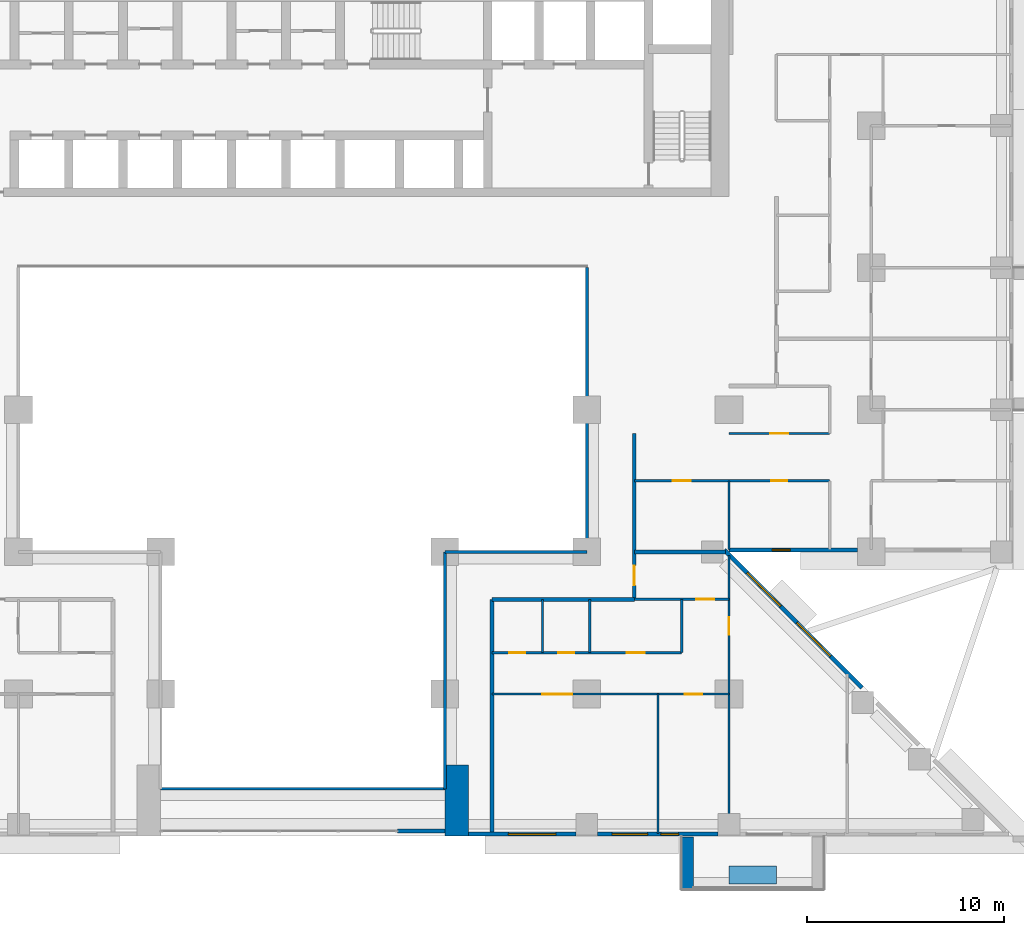
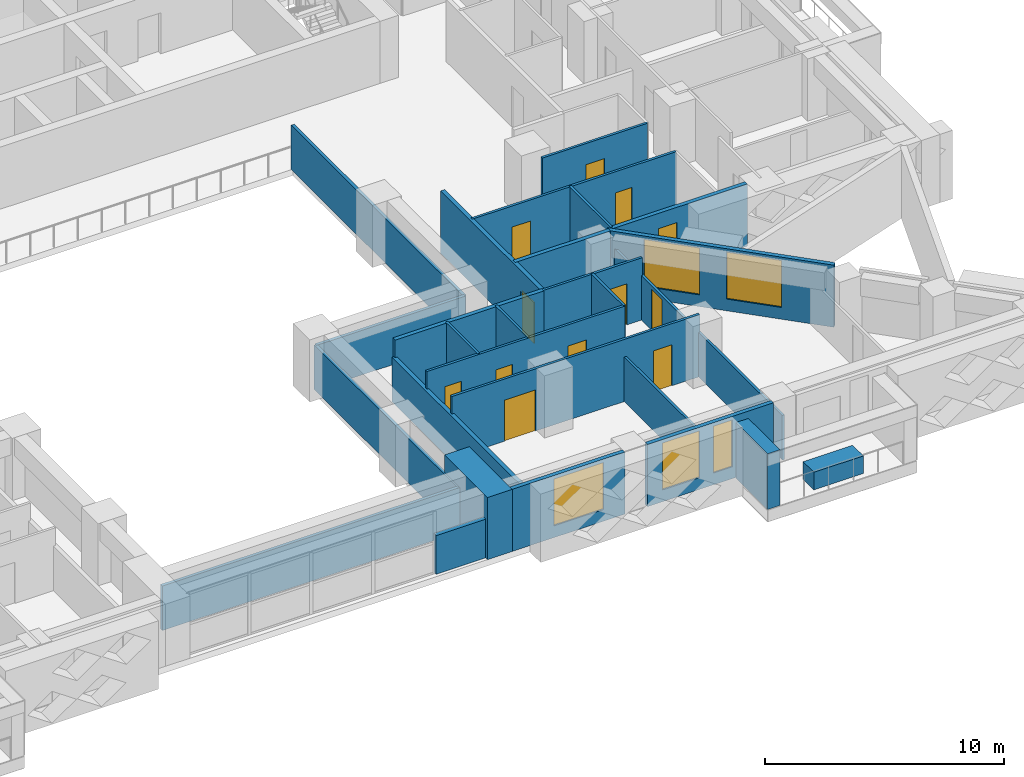
# One storey, part 8 of 17: 27 walls, 11 doors, 6 windows, 17 openings.
"""IFC4 building model written with IfcOpenShell, lengths in metres."""

import ifcopenshell
import ifcopenshell.guid

model = None  # the IFC model being written
_history = None  # IfcOwnerHistory: only IFC2X3 demands one
_inside = {}  # id of a spatial element -> (the spatial element, [elements in it])
_under = {}  # id of a project, library or spatial element -> (it, [spatial elements below it])
_declared = {}  # id of a project -> (the project, [libraries it declares])
_typed = {}  # id of a type object -> (the type object, [elements of that type])
_made_of = {}  # id of a material, layer set ... -> (it, [elements and type objects made of it])


def new_model(schema):
    """Start an empty IFC model of exactly this schema.

    Asked for "IFC4X3", IfcOpenShell would pick the latest addendum, in which some entities
    have other attributes; the version numbers below select the first issue.
    IFC2X3 requires an IfcOwnerHistory on every rooted entity: one is made here for all.
    """
    global model, _history
    if schema == "IFC4X3":
        model = ifcopenshell.file(schema_version=(4, 3, 0, 0))
    else:
        model = ifcopenshell.file(schema=schema)
    _inside.clear()
    _under.clear()
    _declared.clear()
    _typed.clear()
    _made_of.clear()
    _history = None
    if model.schema == "IFC2X3":
        org = make("IfcOrganization", Name="unknown")
        user = make(
            "IfcPersonAndOrganization",
            ThePerson=make("IfcPerson", FamilyName="unknown"),
            TheOrganization=org,
        )
        app = make(
            "IfcApplication",
            ApplicationDeveloper=org,
            Version="unknown",
            ApplicationFullName="unknown",
            ApplicationIdentifier="unknown",
        )
        _history = make(
            "IfcOwnerHistory",
            OwningUser=user,
            OwningApplication=app,
            ChangeAction="ADDED",
            CreationDate=0,
        )
    return model


def make(cls, **values):
    """One entity of the class cls with the attributes given. An attribute that is None is left unset."""
    return model.create_entity(
        cls, **{name: value for name, value in values.items() if value is not None}
    )


def rooted(cls, **values):
    """An entity with a GlobalId (a new one), such as an element, a storey or a relation."""
    return make(cls, GlobalId=ifcopenshell.guid.new(), OwnerHistory=_history, **values)


def si_unit(unit_type, name, prefix=None):
    """IfcSIUnit, for example si_unit("LENGTHUNIT", "METRE", prefix="MILLI")."""
    return make("IfcSIUnit", UnitType=unit_type, Prefix=prefix, Name=name)


def assignment(units):
    """IfcUnitAssignment: the units of a project."""
    return None if units is None else make("IfcUnitAssignment", Units=units)


def point(xyz):
    """IfcCartesianPoint."""
    return None if xyz is None else make("IfcCartesianPoint", Coordinates=xyz)


def direction(xyz):
    """IfcDirection."""
    return None if xyz is None else make("IfcDirection", DirectionRatios=xyz)


def frame(location, z_axis=None, x_axis=None):
    """IfcAxis2Placement3D, a coordinate frame: its origin and axes. An axis left out is left unset."""
    return make(
        "IfcAxis2Placement3D",
        Location=point(location),
        Axis=direction(z_axis),
        RefDirection=direction(x_axis),
    )


def frame_2d(location, x_axis=None):
    """IfcAxis2Placement2D, a coordinate frame in the plane: its origin and x axis."""
    return make(
        "IfcAxis2Placement2D", Location=point(location), RefDirection=direction(x_axis)
    )


def origin():
    """The frame at (0, 0, 0) with its axes left unset."""
    return frame((0.0, 0.0, 0.0))


def place(relative_to, where):
    """IfcLocalPlacement: puts the frame where relative to a parent placement (None: the world)."""
    return make(
        "IfcLocalPlacement", PlacementRelTo=relative_to, RelativePlacement=where
    )


def context(
    kind, dimensions, precision=None, world=None, true_north=None, identifier=None
):
    """IfcGeometricRepresentationContext, for example the 3D "Model" context."""
    return make(
        "IfcGeometricRepresentationContext",
        ContextIdentifier=identifier,
        ContextType=kind,
        CoordinateSpaceDimension=dimensions,
        Precision=precision,
        WorldCoordinateSystem=world,
        TrueNorth=true_north,
    )


def subcontext(parent, identifier, kind, view, scale=None):
    """IfcGeometricRepresentationSubContext, for example "Body" below "Model"."""
    return make(
        "IfcGeometricRepresentationSubContext",
        ContextIdentifier=identifier,
        ContextType=kind,
        ParentContext=parent,
        TargetScale=scale,
        TargetView=view,
    )


def project(units=None, contexts=None):
    """IfcProject with its units and contexts."""
    return rooted(
        "IfcProject",
        Name="project",
        RepresentationContexts=contexts,
        UnitsInContext=assignment(units),
    )


def spatial(cls, under=None, at=None, **own):
    """A site, building, storey or space (cls), placed at a placement, below another one or the project."""
    s = rooted(cls, ObjectPlacement=at, **own)
    if under is not None:
        _under.setdefault(under.id(), (under, []))[1].append(s)
    return s


def profile(cls, at=None, kind="AREA", **sizes):
    """A parametric profile (cls). Its sizes go by their IFC names, for example OverallWidth=200.0."""
    return make(cls, ProfileType=kind, Position=at, **sizes)


def rectangle(**sizes):
    """IfcRectangleProfileDef."""
    return profile("IfcRectangleProfileDef", **sizes)


def extrude(swept, where, along, depth):
    """IfcExtrudedAreaSolid: the profile swept, set in the frame where, extruded along a direction by depth."""
    return make(
        "IfcExtrudedAreaSolid",
        SweptArea=swept,
        Position=where,
        ExtrudedDirection=direction(along),
        Depth=depth,
    )


def shape(context_of_items, identifier, shape_type, items):
    """IfcShapeRepresentation: the items that make up one representation, for example the "Body"."""
    return make(
        "IfcShapeRepresentation",
        ContextOfItems=context_of_items,
        RepresentationIdentifier=identifier,
        RepresentationType=shape_type,
        Items=items,
    )


def material(Name=None, Category=None):
    """IfcMaterial."""
    return make("IfcMaterial", Name=Name, Category=Category)


def layer(
    of_material, thickness, ventilated=None, Name=None, Category=None, Priority=None
):
    """IfcMaterialLayer: one layer of a wall or slab, of a material (None: an air gap)."""
    return make(
        "IfcMaterialLayer",
        Material=of_material,
        LayerThickness=thickness,
        IsVentilated=ventilated,
        Name=Name,
        Category=Category,
        Priority=Priority,
    )


def layer_set(layers, Name=None):
    """IfcMaterialLayerSet."""
    return make("IfcMaterialLayerSet", MaterialLayers=layers, LayerSetName=Name)


def made_of(thing, what):
    """Note that an element or type object is made of a material, layer set ...; save() writes the relation."""
    if what is not None:
        _made_of.setdefault(what.id(), (what, []))[1].append(thing)
    return thing


def type_object(cls, material=None, **own):
    """A type object (cls), such as IfcWallType, which elements share."""
    return made_of(rooted(cls, **own), material)


def element(
    cls,
    number,
    at=None,
    inside=None,
    cuts=None,
    type_object=None,
    material=None,
    context=None,
    identifier="Body",
    shape_type=None,
    held_by="IfcProductDefinitionShape",
    body=None,
    shapes=None,
    **own,
):
    """One element of the class cls, such as IfcWall. Its Tag is "e" and its number.

    at: its placement. inside: the storey or other place that contains it. cuts: it is an
    opening in that element (IfcRelVoidsElement). A single representation is given by context,
    identifier, shape_type and body (its items); several are given by shapes. held_by: the class
    of the entity that holds the representations. save() writes the other relations.
    """
    e = rooted(cls, Tag="e%d" % number, ObjectPlacement=at, **own)
    if body is not None:
        shapes = [shape(context, identifier, shape_type, body)]
    if shapes is not None:
        e.Representation = make(held_by, Representations=shapes)
    if inside is not None:
        _inside.setdefault(inside.id(), (inside, []))[1].append(e)
    if cuts is not None:
        rooted(
            "IfcRelVoidsElement", RelatingBuildingElement=cuts, RelatedOpeningElement=e
        )
    if type_object is not None:
        _typed.setdefault(type_object.id(), (type_object, []))[1].append(e)
    return made_of(e, material)


def fill(opening, filler):
    """IfcRelFillsElement: the door or window that sits in an opening."""
    return rooted(
        "IfcRelFillsElement",
        RelatingOpeningElement=opening,
        RelatedBuildingElement=filler,
    )


def aggregate(whole, parts):
    """IfcRelAggregates: a whole, such as a stair, and the parts it consists of."""
    return rooted("IfcRelAggregates", RelatingObject=whole, RelatedObjects=parts)


def save(model, path):
    """Write the relations noted so far, then the file.

    IfcRelAggregates (storeys below a building ...), IfcRelContainedInSpatialStructure (elements
    in a storey), IfcRelDefinesByType, IfcRelAssociatesMaterial and IfcRelDeclares: one each for
    every whole, place, type object, material and project.
    """
    for whole, parts in _under.values():
        aggregate(whole, parts)
    for where, things in _inside.values():
        rooted(
            "IfcRelContainedInSpatialStructure",
            RelatedElements=things,
            RelatingStructure=where,
        )
    for kind, things in _typed.values():
        rooted("IfcRelDefinesByType", RelatedObjects=things, RelatingType=kind)
    for what, things in _made_of.values():
        rooted("IfcRelAssociatesMaterial", RelatedObjects=things, RelatingMaterial=what)
    for by, libraries in _declared.values():
        rooted("IfcRelDeclares", RelatingContext=by, RelatedDefinitions=libraries)
    model.write(path)


model = new_model("IFC4")

# Units and contexts
model_context = context("Model", 3, precision=1e-05, world=origin(), true_north=direction((0.0, 1.0)))
body_context = subcontext(model_context, "Body", "Model", "MODEL_VIEW")
ifc_project = project(units=[si_unit("LENGTHUNIT", "METRE"), si_unit("AREAUNIT", "SQUARE_METRE"), si_unit("VOLUMEUNIT", "CUBIC_METRE"), si_unit("PLANEANGLEUNIT", "RADIAN"), si_unit("MASSUNIT", "GRAM", prefix="KILO")], contexts=[model_context])

# Site, building, storey
site_placement = place(None, origin())
site = spatial("IfcSite", under=ifc_project, at=site_placement, CompositionType="ELEMENT")
building_placement = place(site_placement, origin())
building = spatial("IfcBuilding", under=site, at=building_placement, Name="Saffron Iwan Residences", CompositionType="ELEMENT")
storey_placement = place(building_placement, frame((0.0, 0.0, 51.5)))
storey = spatial("IfcBuildingStorey", under=building, at=storey_placement, Name="L12", CompositionType="ELEMENT", Elevation=51.5)

# Walls
ifc_material_1 = material(Name="Fire-rated glazing", Category="glass")
ifc_layer_1 = layer(ifc_material_1, 0.14990234375)
ifc_layer_set_1 = layer_set([ifc_layer_1], Name="Fire-rated glazing")
wall_type_1 = type_object("IfcWallType", Name="Atrium glazed screen 150", PredefinedType="SOLIDWALL", material=ifc_layer_set_1)
wall_1_placement = place(storey_placement, frame((43.199951171875, 36.0, 0.0), z_axis=(0.0, 0.0, 1.0), x_axis=(1.0, 0.0, 0.0)))
element("IfcWall", 1, at=wall_1_placement, inside=storey, type_object=wall_type_1, Name="W-L12-SCREEN-h36-43.2", PredefinedType="SOLIDWALL", context=body_context, shape_type="SweptSolid", body=[
    extrude(rectangle(XDim=14.400146484375, YDim=0.14990234375, at=frame_2d((7.2001953125, 0.0))), origin(), (0.0, 0.0, 1.0), 2.280029296875),
])
wall_2_placement = place(storey_placement, frame((57.60009765625, 48.0, 0.0), z_axis=(0.0, 0.0, 1.0), x_axis=(1.0, 0.0, 0.0)))
element("IfcWall", 2, at=wall_2_placement, inside=storey, type_object=wall_type_1, Name="W-L12-SCREEN-h48-57.6", PredefinedType="SOLIDWALL", context=body_context, shape_type="SweptSolid", body=[
    extrude(rectangle(XDim=7.199951171875, YDim=0.14990234375, at=frame_2d((3.60009765625, 0.0))), origin(), (0.0, 0.0, 1.0), 2.280029296875),
])
wall_3_placement = place(storey_placement, frame((57.60009765625, 36.0, 0.0), z_axis=(0.0, 0.0, 1.0), x_axis=(0.0, 1.0, 0.0)))
element("IfcWall", 3, at=wall_3_placement, inside=storey, type_object=wall_type_1, Name="W-L12-SCREEN-v57.6-36", PredefinedType="SOLIDWALL", context=body_context, shape_type="SweptSolid", body=[
    extrude(rectangle(XDim=12.0, YDim=0.14990234375, at=frame_2d((6.0, 0.0))), origin(), (0.0, 0.0, 1.0), 2.280029296875),
])
wall_4_placement = place(storey_placement, frame((64.800048828125, 48.0, 0.0), z_axis=(0.0, 0.0, 1.0), x_axis=(0.0, 1.0, 0.0)))
element("IfcWall", 4, at=wall_4_placement, inside=storey, type_object=wall_type_1, Name="W-L12-SCREEN-v64.8-48", PredefinedType="SOLIDWALL", context=body_context, shape_type="SweptSolid", body=[
    extrude(rectangle(XDim=14.39990234375, YDim=0.14990234375, at=frame_2d((7.199951171875, 0.0))), origin(), (0.0, 0.0, 1.0), 2.280029296875),
])
ifc_material_2 = material(Name="Concrete C50/60 white painted", Category="concrete")
ifc_layer_2 = layer(ifc_material_2, 0.60009765625)
ifc_layer_set_2 = layer_set([ifc_layer_2], Name="Concrete C50/60 white painted")
wall_type_2 = type_object("IfcWallType", Name="BALCONY FIN 600", PredefinedType="SOLIDWALL", material=ifc_layer_set_2)
wall_5_placement = place(storey_placement, frame((69.89990234375, 33.550048828125, 0.0), z_axis=(0.0, 0.0, 1.0), x_axis=(0.0, -1.0, 0.0)))
element("IfcWall", 5, at=wall_5_placement, inside=storey, type_object=wall_type_2, Name="Balcony fin L12 11-1a", PredefinedType="SOLIDWALL", context=body_context, shape_type="SweptSolid", body=[
    extrude(rectangle(XDim=2.650146484375, YDim=0.60009765625, at=frame_2d((1.3251953125, 0.0))), origin(), (0.0, 0.0, 1.0), 2.85009765625),
])
ifc_material_3 = material(Name="Concrete C35/45 white painted", Category="concrete")
ifc_layer_3 = layer(ifc_material_3, 0.14990234375)
ifc_layer_set_3 = layer_set([ifc_layer_3], Name="Concrete C35/45 white painted")
wall_type_3 = type_object("IfcWallType", Name="BALCONY PLANTER", PredefinedType="SOLIDWALL", material=ifc_layer_set_3)
wall_6_placement = place(storey_placement, frame((72.0, 31.625, 0.0), z_axis=(0.0, 0.0, 1.0), x_axis=(1.0, 0.0, 0.0)))
element("IfcWall", 6, at=wall_6_placement, inside=storey, type_object=wall_type_3, Name="PLANTER L12 11-1", PredefinedType="SOLIDWALL", context=body_context, shape_type="SweptSolid", body=[
    extrude(rectangle(XDim=2.39990234375, YDim=0.89990234375, at=frame_2d((1.199951171875, 0.0))), origin(), (0.0, 0.0, 1.0), 0.89990234375),
])

# Wall, openings, windows
ifc_material_4 = material(Name="Concrete C40/50", Category="concrete")
ifc_layer_4 = layer(ifc_material_4, 0.199951171875)
ifc_layer_set_4 = layer_set([ifc_layer_4], Name="Concrete C40/50")
wall_type_4 = type_object("IfcWallType", Name="EXTERNAL WALL 200", PredefinedType="SOLIDWALL", material=ifc_layer_set_4)
wall_7_placement = place(storey_placement, frame((78.740478515625, 41.1181640625, 0.0), z_axis=(0.0, 0.0, 1.0), x_axis=(-0.707106781187, 0.707106781187, 0.0)))
wall_7 = element("IfcWall", 7, at=wall_7_placement, inside=storey, type_object=wall_type_4, Name="External wall L12 F0.2", PredefinedType="SOLIDWALL", context=body_context, shape_type="SweptSolid", body=[
    extrude(rectangle(XDim=9.8740234375, YDim=0.199951171875, at=frame_2d((4.93701171875, 0.0))), origin(), (0.0, 0.0, 1.0), 3.179931640625),
])
opening_1_placement = place(wall_7_placement, frame((2.263671875, 0.0, 0.60009765625)))
opening_1 = element("IfcOpeningElement", 8, at=opening_1_placement, cuts=wall_7, Name="Opening W1", PredefinedType="OPENING", context=body_context, shape_type="SweptSolid", body=[
    extrude(rectangle(XDim=2.39990234375, YDim=2.39990234375, at=frame_2d((1.199951171875, 1.199951171875))), frame((0.0, 0.10986328125, 0.0), z_axis=(0.0, -1.0, 0.0), x_axis=(1.0, 0.0, 0.0)), (0.0, 0.0, 1.0), 0.219970703125),
])
opening_2_placement = place(wall_7_placement, frame((5.835693359375, 0.0, 0.60009765625)))
opening_2 = element("IfcOpeningElement", 9, at=opening_2_placement, cuts=wall_7, Name="Opening W1", PredefinedType="OPENING", context=body_context, shape_type="SweptSolid", body=[
    extrude(rectangle(XDim=2.39990234375, YDim=2.39990234375, at=frame_2d((1.199951171875, 1.199951171875))), frame((0.0, 0.10986328125, 0.0), z_axis=(0.0, -1.0, 0.0), x_axis=(1.0, 0.0, 0.0)), (0.0, 0.0, 1.0), 0.219970703125),
])
ifc_material_5 = material(Name="Clear glass, laminated double glazed", Category="glass")
window_type_1 = type_object("IfcWindowType", Name="WINDOW 2400 x 2400", PartitioningType="DOUBLE_PANEL_VERTICAL", PredefinedType="WINDOW", material=ifc_material_5)
window_1_placement = place(opening_1_placement, origin())
window_1 = element("IfcWindow", 10, at=window_1_placement, inside=storey, type_object=window_type_1, Name="Window L12 F0.0", OverallHeight=2.39990234375, OverallWidth=2.39990234375, PartitioningType="DOUBLE_PANEL_VERTICAL", PredefinedType="WINDOW", context=body_context, shape_type="SweptSolid", body=[
    extrude(rectangle(XDim=2.39990234375, YDim=2.39990234375, at=frame_2d((1.199951171875, 1.199951171875))), frame((0.0, 0.030029296875, 0.0), z_axis=(0.0, -1.0, 0.0), x_axis=(1.0, 0.0, 0.0)), (0.0, 0.0, 1.0), 0.06005859375),
])
fill(opening_1, window_1)
window_2_placement = place(opening_2_placement, origin())
window_2 = element("IfcWindow", 11, at=window_2_placement, inside=storey, type_object=window_type_1, Name="Window L12 F0.1", OverallHeight=2.39990234375, OverallWidth=2.39990234375, PartitioningType="DOUBLE_PANEL_VERTICAL", PredefinedType="WINDOW", context=body_context, shape_type="SweptSolid", body=[
    extrude(rectangle(XDim=2.39990234375, YDim=2.39990234375, at=frame_2d((1.199951171875, 1.199951171875))), frame((0.0, 0.030029296875, 0.0), z_axis=(0.0, -1.0, 0.0), x_axis=(1.0, 0.0, 0.0)), (0.0, 0.0, 1.0), 0.06005859375),
])
fill(opening_2, window_2)

# Wall, opening, window
wall_8_placement = place(storey_placement, frame((71.988525390625, 48.10009765625, 0.0), z_axis=(0.0, 0.0, 1.0), x_axis=(1.0, 0.0, 0.0)))
wall_8 = element("IfcWall", 12, at=wall_8_placement, inside=storey, type_object=wall_type_4, Name="External wall L12 F1.0", PredefinedType="SOLIDWALL", context=body_context, shape_type="SweptSolid", body=[
    extrude(rectangle(XDim=6.511474609375, YDim=0.199951171875, at=frame_2d((3.255859375, 0.0))), origin(), (0.0, 0.0, 1.0), 3.179931640625),
])
opening_3_placement = place(wall_8_placement, frame((2.205810546875, 0.0, 1.5)))
opening_3 = element("IfcOpeningElement", 13, at=opening_3_placement, cuts=wall_8, Name="Opening W6", PredefinedType="OPENING", context=body_context, shape_type="SweptSolid", body=[
    extrude(rectangle(XDim=0.89990234375, YDim=0.89990234375, at=frame_2d((0.449951171875, 0.449951171875))), frame((0.0, 0.10986328125, 0.0), z_axis=(0.0, -1.0, 0.0), x_axis=(1.0, 0.0, 0.0)), (0.0, 0.0, 1.0), 0.219970703125),
])
window_type_2 = type_object("IfcWindowType", Name="WINDOW 900 x 900 BATH", PartitioningType="SINGLE_PANEL", PredefinedType="WINDOW", material=ifc_material_5)
window_3_placement = place(opening_3_placement, origin())
window_3 = element("IfcWindow", 14, at=window_3_placement, inside=storey, type_object=window_type_2, Name="Window L12 F1.0", OverallHeight=0.89990234375, OverallWidth=0.89990234375, PartitioningType="SINGLE_PANEL", PredefinedType="WINDOW", context=body_context, shape_type="SweptSolid", body=[
    extrude(rectangle(XDim=0.89990234375, YDim=0.89990234375, at=frame_2d((0.449951171875, 0.449951171875))), frame((0.0, 0.030029296875, 0.0), z_axis=(0.0, -1.0, 0.0), x_axis=(1.0, 0.0, 0.0)), (0.0, 0.0, 1.0), 0.06005859375),
])
fill(opening_3, window_3)

wall_9_placement = place(storey_placement, frame((58.800048828125, 33.699951171875, 0.0), z_axis=(0.0, 0.0, 1.0), x_axis=(1.0, 0.0, 0.0)))
wall_9 = element("IfcWall", 15, at=wall_9_placement, inside=storey, type_object=wall_type_4, Name="External wall L12 F11.4", PredefinedType="SOLIDWALL", context=body_context, shape_type="SweptSolid", body=[
    extrude(rectangle(XDim=5.449951171875, YDim=0.199951171875, at=frame_2d((2.72509765625, 0.0))), origin(), (0.0, 0.0, 1.0), 3.179931640625),
])
opening_4_placement = place(wall_9_placement, frame((2.02490234375, 0.0, 0.60009765625)))
opening_4 = element("IfcOpeningElement", 16, at=opening_4_placement, cuts=wall_9, Name="Opening W1", PredefinedType="OPENING", context=body_context, shape_type="SweptSolid", body=[
    extrude(rectangle(XDim=2.39990234375, YDim=2.39990234375, at=frame_2d((1.199951171875, 1.199951171875))), frame((0.0, 0.10986328125, 0.0), z_axis=(0.0, -1.0, 0.0), x_axis=(1.0, 0.0, 0.0)), (0.0, 0.0, 1.0), 0.219970703125),
])
window_4_placement = place(opening_4_placement, origin())
window_4 = element("IfcWindow", 17, at=window_4_placement, inside=storey, type_object=window_type_1, Name="Window L12 F11.0", OverallHeight=2.39990234375, OverallWidth=2.39990234375, PartitioningType="DOUBLE_PANEL_VERTICAL", PredefinedType="WINDOW", context=body_context, shape_type="SweptSolid", body=[
    extrude(rectangle(XDim=2.39990234375, YDim=2.39990234375, at=frame_2d((1.199951171875, 1.199951171875))), frame((0.0, 0.030029296875, 0.0), z_axis=(0.0, -1.0, 0.0), x_axis=(1.0, 0.0, 0.0)), (0.0, 0.0, 1.0), 0.06005859375),
])
fill(opening_4, window_4)

# Wall, openings, windows
wall_10_placement = place(storey_placement, frame((65.35009765625, 33.699951171875, 0.0), z_axis=(0.0, 0.0, 1.0), x_axis=(1.0, 0.0, 0.0)))
wall_10 = element("IfcWall", 18, at=wall_10_placement, inside=storey, type_object=wall_type_4, Name="External wall L12 F11.5", PredefinedType="SOLIDWALL", context=body_context, shape_type="SweptSolid", body=[
    extrude(rectangle(XDim=6.099853515625, YDim=0.199951171875, at=frame_2d((3.0498046875, 0.0))), origin(), (0.0, 0.0, 1.0), 3.179931640625),
])
opening_5_placement = place(wall_10_placement, frame((3.199951171875, 0.0, 0.60009765625)))
opening_5 = element("IfcOpeningElement", 19, at=opening_5_placement, cuts=wall_10, Name="Opening W10", PredefinedType="OPENING", context=body_context, shape_type="SweptSolid", body=[
    extrude(rectangle(XDim=0.89990234375, YDim=2.39990234375, at=frame_2d((0.449951171875, 1.199951171875))), frame((0.0, 0.10986328125, 0.0), z_axis=(0.0, -1.0, 0.0), x_axis=(1.0, 0.0, 0.0)), (0.0, 0.0, 1.0), 0.219970703125),
])
opening_6_placement = place(wall_10_placement, frame((0.72509765625, 0.0, 0.60009765625)))
opening_6 = element("IfcOpeningElement", 20, at=opening_6_placement, cuts=wall_10, Name="Opening W8", PredefinedType="OPENING", context=body_context, shape_type="SweptSolid", body=[
    extrude(rectangle(XDim=1.800048828125, YDim=2.39990234375, at=frame_2d((0.89990234375, 1.199951171875))), frame((0.0, 0.10986328125, 0.0), z_axis=(0.0, -1.0, 0.0), x_axis=(1.0, 0.0, 0.0)), (0.0, 0.0, 1.0), 0.219970703125),
])
window_type_3 = type_object("IfcWindowType", Name="WINDOW 1800 x 2400", PartitioningType="DOUBLE_PANEL_VERTICAL", PredefinedType="WINDOW", material=ifc_material_5)
window_5_placement = place(opening_6_placement, origin())
window_5 = element("IfcWindow", 21, at=window_5_placement, inside=storey, type_object=window_type_3, Name="Window L12 F11.1", OverallHeight=2.39990234375, OverallWidth=1.800048828125, PartitioningType="DOUBLE_PANEL_VERTICAL", PredefinedType="WINDOW", context=body_context, shape_type="SweptSolid", body=[
    extrude(rectangle(XDim=1.800048828125, YDim=2.39990234375, at=frame_2d((0.89990234375, 1.199951171875))), frame((0.0, 0.030029296875, 0.0), z_axis=(0.0, -1.0, 0.0), x_axis=(1.0, 0.0, 0.0)), (0.0, 0.0, 1.0), 0.06005859375),
])
fill(opening_6, window_5)
window_type_4 = type_object("IfcWindowType", Name="WINDOW 900 x 2400", PartitioningType="SINGLE_PANEL", PredefinedType="WINDOW", material=ifc_material_5)
window_6_placement = place(opening_5_placement, origin())
window_6 = element("IfcWindow", 22, at=window_6_placement, inside=storey, type_object=window_type_4, Name="Window L12 F11.0", OverallHeight=2.39990234375, OverallWidth=0.89990234375, PartitioningType="SINGLE_PANEL", PredefinedType="WINDOW", context=body_context, shape_type="SweptSolid", body=[
    extrude(rectangle(XDim=0.89990234375, YDim=2.39990234375, at=frame_2d((0.449951171875, 1.199951171875))), frame((0.0, 0.030029296875, 0.0), z_axis=(0.0, -1.0, 0.0), x_axis=(1.0, 0.0, 0.0)), (0.0, 0.0, 1.0), 0.06005859375),
])
fill(opening_5, window_6)

# Walls
wall_11_placement = place(storey_placement, frame((55.199951171875, 33.85009765625, 0.0), z_axis=(0.0, 0.0, 1.0), x_axis=(1.0, 0.0, 0.0)))
element("IfcWall", 23, at=wall_11_placement, inside=storey, type_object=wall_type_4, Name="External wall infill CWB-L12-0", PredefinedType="SOLIDWALL", context=body_context, shape_type="SweptSolid", body=[
    extrude(rectangle(XDim=2.400146484375, YDim=0.199951171875, at=frame_2d((1.2001953125, 0.0))), origin(), (0.0, 0.0, 1.0), 1.97998046875),
])
ifc_material_6 = material(Name="Fire-rated gypsum board wall")
ifc_layer_5 = layer(ifc_material_6, 0.199951171875)
ifc_layer_set_5 = layer_set([ifc_layer_5], Name="Fire-rated gypsum board wall")
wall_type_5 = type_object("IfcWallType", Name="Flat demising wall 200", PredefinedType="SOLIDWALL", material=ifc_layer_set_5)
wall_12_placement = place(storey_placement, frame((67.199951171875, 48.0, 0.0), z_axis=(0.0, 0.0, 1.0), x_axis=(1.0, 0.0, 0.0)))
element("IfcWall", 24, at=wall_12_placement, inside=storey, type_object=wall_type_5, Name="W-L12-DEMISE-h48-67.2", PredefinedType="SOLIDWALL", context=body_context, shape_type="SweptSolid", body=[
    extrude(rectangle(XDim=4.623046875, YDim=0.199951171875, at=frame_2d((2.3115234375, 0.0))), origin(), (0.0, 0.0, 1.0), 3.179931640625),
])

# Wall, openings, doors
ifc_material_7 = material(Name="Gypsum board partition")
ifc_layer_6 = layer(ifc_material_7, 0.1201171875)
ifc_layer_set_6 = layer_set([ifc_layer_6], Name="Gypsum board partition")
wall_type_6 = type_object("IfcWallType", Name="Flat partition 120", PredefinedType="PARTITIONING", material=ifc_layer_set_6)
wall_13_placement = place(storey_placement, frame((60.0, 40.800048828125, 0.0), z_axis=(0.0, 0.0, 1.0), x_axis=(1.0, 0.0, 0.0)))
wall_13 = element("IfcWall", 25, at=wall_13_placement, inside=storey, type_object=wall_type_6, Name="W-L12-PART-h40.8-60", PredefinedType="PARTITIONING", context=body_context, shape_type="SweptSolid", body=[
    extrude(rectangle(XDim=12.0, YDim=0.1201171875, at=frame_2d((6.0, 0.0))), origin(), (0.0, 0.0, 1.0), 3.179931640625),
])
opening_7_placement = place(wall_13_placement, frame((9.75, 0.0, 0.0)))
opening_7 = element("IfcOpeningElement", 26, at=opening_7_placement, cuts=wall_13, Name="Opening FD2", PredefinedType="OPENING", context=body_context, shape_type="SweptSolid", body=[
    extrude(rectangle(XDim=0.89990234375, YDim=2.10009765625, at=frame_2d((0.449951171875, 1.050048828125))), frame((0.0, 0.070068359375, 0.0), z_axis=(0.0, -1.0, 0.0), x_axis=(1.0, 0.0, 0.0)), (0.0, 0.0, 1.0), 0.14013671875),
])
opening_8_placement = place(wall_13_placement, frame((2.550048828125, 0.0, 0.0)))
opening_8 = element("IfcOpeningElement", 27, at=opening_8_placement, cuts=wall_13, Name="Opening FD4", PredefinedType="OPENING", context=body_context, shape_type="SweptSolid", body=[
    extrude(rectangle(XDim=1.5, YDim=2.10009765625, at=frame_2d((0.75, 1.050048828125))), frame((0.0, 0.070068359375, 0.0), z_axis=(0.0, -1.0, 0.0), x_axis=(1.0, 0.0, 0.0)), (0.0, 0.0, 1.0), 0.14013671875),
])
ifc_material_8 = material(Name="Timber door", Category="wood")
door_type_1 = type_object("IfcDoorType", Name="Double door 1500", OperationType="NOTDEFINED", PredefinedType="DOOR", material=ifc_material_8)
door_1_placement = place(opening_8_placement, origin())
door_1 = element("IfcDoor", 28, at=door_1_placement, inside=storey, type_object=door_type_1, Name="Door L12-047", OperationType="SINGLE_SWING_RIGHT", OverallHeight=2.10009765625, OverallWidth=1.5, PredefinedType="DOOR", context=body_context, shape_type="SweptSolid", body=[
    extrude(rectangle(XDim=1.5, YDim=2.10009765625, at=frame_2d((0.75, 1.050048828125))), frame((0.0, 0.02490234375, 0.0), z_axis=(0.0, -1.0, 0.0), x_axis=(1.0, 0.0, 0.0)), (0.0, 0.0, 1.0), 0.050048828125),
])
fill(opening_8, door_1)
door_type_2 = type_object("IfcDoorType", Name="Flat door 900", OperationType="NOTDEFINED", PredefinedType="DOOR", material=ifc_material_8)
door_2_placement = place(opening_7_placement, origin())
door_2 = element("IfcDoor", 29, at=door_2_placement, inside=storey, type_object=door_type_2, Name="Door L12-046", OperationType="SINGLE_SWING_RIGHT", OverallHeight=2.10009765625, OverallWidth=0.89990234375, PredefinedType="DOOR", context=body_context, shape_type="SweptSolid", body=[
    extrude(rectangle(XDim=0.89990234375, YDim=2.10009765625, at=frame_2d((0.449951171875, 1.050048828125))), frame((0.0, 0.02490234375, 0.0), z_axis=(0.0, -1.0, 0.0), x_axis=(1.0, 0.0, 0.0)), (0.0, 0.0, 1.0), 0.050048828125),
])
fill(opening_7, door_2)

wall_14_placement = place(storey_placement, frame((60.0, 42.89990234375, 0.0), z_axis=(0.0, 0.0, 1.0), x_axis=(1.0, 0.0, 0.0)))
wall_14 = element("IfcWall", 30, at=wall_14_placement, inside=storey, type_object=wall_type_6, Name="W-L12-PART-h42.9-60", PredefinedType="PARTITIONING", context=body_context, shape_type="SweptSolid", body=[
    extrude(rectangle(XDim=9.60009765625, YDim=0.1201171875, at=frame_2d((4.800048828125, 0.0))), origin(), (0.0, 0.0, 1.0), 3.179931640625),
])
opening_9_placement = place(wall_14_placement, frame((6.824951171875, 0.0, 0.0)))
opening_9 = element("IfcOpeningElement", 31, at=opening_9_placement, cuts=wall_14, Name="Opening FD2", PredefinedType="OPENING", context=body_context, shape_type="SweptSolid", body=[
    extrude(rectangle(XDim=0.89990234375, YDim=2.10009765625, at=frame_2d((0.449951171875, 1.050048828125))), frame((0.0, 0.070068359375, 0.0), z_axis=(0.0, -1.0, 0.0), x_axis=(1.0, 0.0, 0.0)), (0.0, 0.0, 1.0), 0.14013671875),
])
opening_10_placement = place(wall_14_placement, frame((3.35009765625, 0.0, 0.0)))
opening_10 = element("IfcOpeningElement", 32, at=opening_10_placement, cuts=wall_14, Name="Opening FD3", PredefinedType="OPENING", context=body_context, shape_type="SweptSolid", body=[
    extrude(rectangle(XDim=0.800048828125, YDim=2.10009765625, at=frame_2d((0.39990234375, 1.050048828125))), frame((0.0, 0.070068359375, 0.0), z_axis=(0.0, -1.0, 0.0), x_axis=(1.0, 0.0, 0.0)), (0.0, 0.0, 1.0), 0.14013671875),
])
opening_11_placement = place(wall_14_placement, frame((0.875, 0.0, 0.0)))
opening_11 = element("IfcOpeningElement", 33, at=opening_11_placement, cuts=wall_14, Name="Opening FD3", PredefinedType="OPENING", context=body_context, shape_type="SweptSolid", body=[
    extrude(rectangle(XDim=0.800048828125, YDim=2.10009765625, at=frame_2d((0.39990234375, 1.050048828125))), frame((0.0, 0.070068359375, 0.0), z_axis=(0.0, -1.0, 0.0), x_axis=(1.0, 0.0, 0.0)), (0.0, 0.0, 1.0), 0.14013671875),
])
door_type_3 = type_object("IfcDoorType", Name="Bathroom door 800", OperationType="NOTDEFINED", PredefinedType="DOOR", material=ifc_material_8)
door_3_placement = place(opening_10_placement, origin())
door_3 = element("IfcDoor", 34, at=door_3_placement, inside=storey, type_object=door_type_3, Name="Door L12-049", OperationType="SINGLE_SWING_RIGHT", OverallHeight=2.10009765625, OverallWidth=0.800048828125, PredefinedType="DOOR", context=body_context, shape_type="SweptSolid", body=[
    extrude(rectangle(XDim=0.800048828125, YDim=2.10009765625, at=frame_2d((0.39990234375, 1.050048828125))), frame((0.0, 0.02490234375, 0.0), z_axis=(0.0, -1.0, 0.0), x_axis=(1.0, 0.0, 0.0)), (0.0, 0.0, 1.0), 0.050048828125),
])
fill(opening_10, door_3)
door_4_placement = place(opening_11_placement, origin())
door_4 = element("IfcDoor", 35, at=door_4_placement, inside=storey, type_object=door_type_3, Name="Door L12-050", OperationType="SINGLE_SWING_LEFT", OverallHeight=2.10009765625, OverallWidth=0.800048828125, PredefinedType="DOOR", context=body_context, shape_type="SweptSolid", body=[
    extrude(rectangle(XDim=0.800048828125, YDim=2.10009765625, at=frame_2d((0.39990234375, 1.050048828125))), frame((0.0, 0.02490234375, 0.0), z_axis=(0.0, -1.0, 0.0), x_axis=(1.0, 0.0, 0.0)), (0.0, 0.0, 1.0), 0.050048828125),
])
fill(opening_11, door_4)
door_5_placement = place(opening_9_placement, origin())
door_5 = element("IfcDoor", 36, at=door_5_placement, inside=storey, type_object=door_type_2, Name="Door L12-048", OperationType="SINGLE_SWING_LEFT", OverallHeight=2.10009765625, OverallWidth=0.89990234375, PredefinedType="DOOR", context=body_context, shape_type="SweptSolid", body=[
    extrude(rectangle(XDim=0.89990234375, YDim=2.10009765625, at=frame_2d((0.449951171875, 1.050048828125))), frame((0.0, 0.02490234375, 0.0), z_axis=(0.0, -1.0, 0.0), x_axis=(1.0, 0.0, 0.0)), (0.0, 0.0, 1.0), 0.050048828125),
])
fill(opening_9, door_5)

# Wall, opening, door
wall_15_placement = place(storey_placement, frame((67.199951171875, 45.60009765625, 0.0), z_axis=(0.0, 0.0, 1.0), x_axis=(1.0, 0.0, 0.0)))
wall_15 = element("IfcWall", 37, at=wall_15_placement, inside=storey, type_object=wall_type_6, Name="W-L12-PART-h45.6-67.2", PredefinedType="PARTITIONING", context=body_context, shape_type="SweptSolid", body=[
    extrude(rectangle(XDim=4.800048828125, YDim=0.1201171875, at=frame_2d((2.39990234375, 0.0))), origin(), (0.0, 0.0, 1.0), 3.179931640625),
])
opening_12_placement = place(wall_15_placement, frame((3.14990234375, 0.0, 0.0)))
opening_12 = element("IfcOpeningElement", 38, at=opening_12_placement, cuts=wall_15, Name="Opening FD2", PredefinedType="OPENING", context=body_context, shape_type="SweptSolid", body=[
    extrude(rectangle(XDim=0.89990234375, YDim=2.10009765625, at=frame_2d((0.449951171875, 1.050048828125))), frame((0.0, 0.070068359375, 0.0), z_axis=(0.0, -1.0, 0.0), x_axis=(1.0, 0.0, 0.0)), (0.0, 0.0, 1.0), 0.14013671875),
])
door_6_placement = place(opening_12_placement, origin())
door_6 = element("IfcDoor", 39, at=door_6_placement, inside=storey, type_object=door_type_2, Name="Door L12-044", OperationType="SINGLE_SWING_LEFT", OverallHeight=2.10009765625, OverallWidth=0.89990234375, PredefinedType="DOOR", context=body_context, shape_type="SweptSolid", body=[
    extrude(rectangle(XDim=0.89990234375, YDim=2.10009765625, at=frame_2d((0.449951171875, 1.050048828125))), frame((0.0, 0.02490234375, 0.0), z_axis=(0.0, -1.0, 0.0), x_axis=(1.0, 0.0, 0.0)), (0.0, 0.0, 1.0), 0.050048828125),
])
fill(opening_12, door_6)

# Wall, openings, doors
wall_16_placement = place(storey_placement, frame((67.199951171875, 51.60009765625, 0.0), z_axis=(0.0, 0.0, 1.0), x_axis=(1.0, 0.0, 0.0)))
wall_16 = element("IfcWall", 40, at=wall_16_placement, inside=storey, type_object=wall_type_6, Name="W-L12-PART-h51.6-67.2", PredefinedType="PARTITIONING", context=body_context, shape_type="SweptSolid", body=[
    extrude(rectangle(XDim=9.900146484375, YDim=0.1201171875, at=frame_2d((4.9501953125, 0.0))), origin(), (0.0, 0.0, 1.0), 3.179931640625),
])
opening_13_placement = place(wall_16_placement, frame((6.949951171875, 0.0, 0.0)))
opening_13 = element("IfcOpeningElement", 41, at=opening_13_placement, cuts=wall_16, Name="Opening FD3", PredefinedType="OPENING", context=body_context, shape_type="SweptSolid", body=[
    extrude(rectangle(XDim=0.800048828125, YDim=2.10009765625, at=frame_2d((0.39990234375, 1.050048828125))), frame((0.0, 0.070068359375, 0.0), z_axis=(0.0, -1.0, 0.0), x_axis=(1.0, 0.0, 0.0)), (0.0, 0.0, 1.0), 0.14013671875),
])
opening_14_placement = place(wall_16_placement, frame((1.949951171875, 0.0, 0.0)))
opening_14 = element("IfcOpeningElement", 42, at=opening_14_placement, cuts=wall_16, Name="Opening FD2", PredefinedType="OPENING", context=body_context, shape_type="SweptSolid", body=[
    extrude(rectangle(XDim=0.89990234375, YDim=2.10009765625, at=frame_2d((0.449951171875, 1.050048828125))), frame((0.0, 0.070068359375, 0.0), z_axis=(0.0, -1.0, 0.0), x_axis=(1.0, 0.0, 0.0)), (0.0, 0.0, 1.0), 0.14013671875),
])
door_7_placement = place(opening_13_placement, origin())
door_7 = element("IfcDoor", 43, at=door_7_placement, inside=storey, type_object=door_type_3, Name="Door L12-025", OperationType="SINGLE_SWING_RIGHT", OverallHeight=2.10009765625, OverallWidth=0.800048828125, PredefinedType="DOOR", context=body_context, shape_type="SweptSolid", body=[
    extrude(rectangle(XDim=0.800048828125, YDim=2.10009765625, at=frame_2d((0.39990234375, 1.050048828125))), frame((0.0, 0.02490234375, 0.0), z_axis=(0.0, -1.0, 0.0), x_axis=(1.0, 0.0, 0.0)), (0.0, 0.0, 1.0), 0.050048828125),
])
fill(opening_13, door_7)
door_8_placement = place(opening_14_placement, origin())
door_8 = element("IfcDoor", 44, at=door_8_placement, inside=storey, type_object=door_type_2, Name="Door L12-027", OperationType="SINGLE_SWING_LEFT", OverallHeight=2.10009765625, OverallWidth=0.89990234375, PredefinedType="DOOR", context=body_context, shape_type="SweptSolid", body=[
    extrude(rectangle(XDim=0.89990234375, YDim=2.10009765625, at=frame_2d((0.449951171875, 1.050048828125))), frame((0.0, 0.02490234375, 0.0), z_axis=(0.0, -1.0, 0.0), x_axis=(1.0, 0.0, 0.0)), (0.0, 0.0, 1.0), 0.050048828125),
])
fill(opening_14, door_8)

# Wall, opening, door
wall_17_placement = place(storey_placement, frame((72.0, 54.0, 0.0), z_axis=(0.0, 0.0, 1.0), x_axis=(1.0, 0.0, 0.0)))
wall_17 = element("IfcWall", 45, at=wall_17_placement, inside=storey, type_object=wall_type_6, Name="W-L12-PART-h54-72", PredefinedType="PARTITIONING", context=body_context, shape_type="SweptSolid", body=[
    extrude(rectangle(XDim=5.10009765625, YDim=0.1201171875, at=frame_2d((2.550048828125, 0.0))), origin(), (0.0, 0.0, 1.0), 3.179931640625),
])
opening_15_placement = place(wall_17_placement, frame((2.10009765625, 0.0, 0.0)))
opening_15 = element("IfcOpeningElement", 46, at=opening_15_placement, cuts=wall_17, Name="Opening FD2", PredefinedType="OPENING", context=body_context, shape_type="SweptSolid", body=[
    extrude(rectangle(XDim=0.89990234375, YDim=2.10009765625, at=frame_2d((0.449951171875, 1.050048828125))), frame((0.0, 0.070068359375, 0.0), z_axis=(0.0, -1.0, 0.0), x_axis=(1.0, 0.0, 0.0)), (0.0, 0.0, 1.0), 0.14013671875),
])
door_9_placement = place(opening_15_placement, origin())
door_9 = element("IfcDoor", 47, at=door_9_placement, inside=storey, type_object=door_type_2, Name="Door L12-026", OperationType="SINGLE_SWING_LEFT", OverallHeight=2.10009765625, OverallWidth=0.89990234375, PredefinedType="DOOR", context=body_context, shape_type="SweptSolid", body=[
    extrude(rectangle(XDim=0.89990234375, YDim=2.10009765625, at=frame_2d((0.449951171875, 1.050048828125))), frame((0.0, 0.02490234375, 0.0), z_axis=(0.0, -1.0, 0.0), x_axis=(1.0, 0.0, 0.0)), (0.0, 0.0, 1.0), 0.050048828125),
])
fill(opening_15, door_9)

# Walls
for number, where, z_axis, x_axis, name in (
    (48, (62.550048828125, 42.89990234375, 0.0), (0.0, 0.0, 1.0), (0.0, 1.0, 0.0), "W-L12-PART-v62.55-42.9"),
    (49, (64.949951171875, 42.89990234375, 0.0), (0.0, 0.0, 1.0), (0.0, 1.0, 0.0), "W-L12-PART-v64.95-42.9"),
):
    element("IfcWall", number, at=place(storey_placement, frame(where, z_axis=z_axis, x_axis=x_axis)), inside=storey, type_object=wall_type_6, Name=name, PredefinedType="PARTITIONING", context=body_context, shape_type="SweptSolid", body=[
        extrude(rectangle(XDim=2.7001953125, YDim=0.1201171875, at=frame_2d((1.35009765625, 0.0))), origin(), (0.0, 0.0, 1.0), 3.179931640625),
    ])
wall_18_placement = place(storey_placement, frame((68.39990234375, 33.72509765625, 0.0), z_axis=(0.0, 0.0, 1.0), x_axis=(0.0, 1.0, 0.0)))
element("IfcWall", 50, at=wall_18_placement, inside=storey, type_object=wall_type_6, Name="W-L12-PART-v68.4-33.725", PredefinedType="PARTITIONING", context=body_context, shape_type="SweptSolid", body=[
    extrude(rectangle(XDim=7.074951171875, YDim=0.1201171875, at=frame_2d((3.53759765625, 0.0))), origin(), (0.0, 0.0, 1.0), 2.280029296875),
])
wall_19_placement = place(storey_placement, frame((69.60009765625, 42.89990234375, 0.0), z_axis=(0.0, 0.0, 1.0), x_axis=(0.0, 1.0, 0.0)))
element("IfcWall", 51, at=wall_19_placement, inside=storey, type_object=wall_type_6, Name="W-L12-PART-v69.6-42.9", PredefinedType="PARTITIONING", context=body_context, shape_type="SweptSolid", body=[
    extrude(rectangle(XDim=2.7001953125, YDim=0.1201171875, at=frame_2d((1.35009765625, 0.0))), origin(), (0.0, 0.0, 1.0), 3.179931640625),
])

# Wall, opening, door
wall_20_placement = place(storey_placement, frame((72.0, 33.72509765625, 0.0), z_axis=(0.0, 0.0, 1.0), x_axis=(0.0, 1.0, 0.0)))
wall_20 = element("IfcWall", 52, at=wall_20_placement, inside=storey, type_object=wall_type_6, Name="W-L12-PART-v72-33.725", PredefinedType="PARTITIONING", context=body_context, shape_type="SweptSolid", body=[
    extrude(rectangle(XDim=14.097900390625, YDim=0.1201171875, at=frame_2d((7.048828125, 0.0))), origin(), (0.0, 0.0, 1.0), 2.280029296875),
])
opening_16_placement = place(wall_20_placement, frame((10.074951171875, 0.0, 0.0)))
opening_16 = element("IfcOpeningElement", 53, at=opening_16_placement, cuts=wall_20, Name="Opening FD2", PredefinedType="OPENING", context=body_context, shape_type="SweptSolid", body=[
    extrude(rectangle(XDim=0.89990234375, YDim=2.10009765625, at=frame_2d((0.449951171875, 1.050048828125))), frame((0.0, 0.070068359375, 0.0), z_axis=(0.0, -1.0, 0.0), x_axis=(1.0, 0.0, 0.0)), (0.0, 0.0, 1.0), 0.14013671875),
])
door_10_placement = place(opening_16_placement, origin())
door_10 = element("IfcDoor", 54, at=door_10_placement, inside=storey, type_object=door_type_2, Name="Door L12-051", OperationType="SINGLE_SWING_LEFT", OverallHeight=2.10009765625, OverallWidth=0.89990234375, PredefinedType="DOOR", context=body_context, shape_type="SweptSolid", body=[
    extrude(rectangle(XDim=0.89990234375, YDim=2.10009765625, at=frame_2d((0.449951171875, 1.050048828125))), frame((0.0, 0.02490234375, 0.0), z_axis=(0.0, -1.0, 0.0), x_axis=(1.0, 0.0, 0.0)), (0.0, 0.0, 1.0), 0.050048828125),
])
fill(opening_16, door_10)

# Walls
wall_21_placement = place(storey_placement, frame((72.0, 48.125, 0.0), z_axis=(0.0, 0.0, 1.0), x_axis=(0.0, 1.0, 0.0)))
element("IfcWall", 55, at=wall_21_placement, inside=storey, type_object=wall_type_6, Name="W-L12-PART-v72-48.125", PredefinedType="PARTITIONING", context=body_context, shape_type="SweptSolid", body=[
    extrude(rectangle(XDim=3.47509765625, YDim=0.1201171875, at=frame_2d((1.737548828125, 0.0))), origin(), (0.0, 0.0, 1.0), 3.179931640625),
])
ifc_layer_7 = layer(ifc_material_6, 0.199951171875)
ifc_layer_set_7 = layer_set([ifc_layer_7], Name="Fire-rated gypsum board wall")
wall_type_7 = type_object("IfcWallType", Name="Gallery wall 200", PredefinedType="SOLIDWALL", material=ifc_layer_set_7)
wall_22_placement = place(storey_placement, frame((60.0, 45.60009765625, 0.0), z_axis=(0.0, 0.0, 1.0), x_axis=(1.0, 0.0, 0.0)))
element("IfcWall", 56, at=wall_22_placement, inside=storey, type_object=wall_type_7, Name="W-L12-CORR-h45.6-60", PredefinedType="SOLIDWALL", context=body_context, shape_type="SweptSolid", body=[
    extrude(rectangle(XDim=7.199951171875, YDim=0.199951171875, at=frame_2d((3.60009765625, 0.0))), origin(), (0.0, 0.0, 1.0), 3.179931640625),
])
wall_23_placement = place(storey_placement, frame((60.0, 33.72509765625, 0.0), z_axis=(0.0, 0.0, 1.0), x_axis=(0.0, 1.0, 0.0)))
element("IfcWall", 57, at=wall_23_placement, inside=storey, type_object=wall_type_7, Name="W-L12-CORR-v60-33.725", PredefinedType="SOLIDWALL", context=body_context, shape_type="SweptSolid", body=[
    extrude(rectangle(XDim=11.875, YDim=0.199951171875, at=frame_2d((5.9375, 0.0))), origin(), (0.0, 0.0, 1.0), 2.280029296875),
])

# Wall, opening, door
wall_24_placement = place(storey_placement, frame((67.199951171875, 45.60009765625, 0.0), z_axis=(0.0, 0.0, 1.0), x_axis=(0.0, 1.0, 0.0)))
wall_24 = element("IfcWall", 58, at=wall_24_placement, inside=storey, type_object=wall_type_7, Name="W-L12-CORR-v67.2-45.6", PredefinedType="SOLIDWALL", context=body_context, shape_type="SweptSolid", body=[
    extrude(rectangle(XDim=8.39990234375, YDim=0.199951171875, at=frame_2d((4.199951171875, 0.0))), origin(), (0.0, 0.0, 1.0), 3.179931640625),
])
opening_17_placement = place(wall_24_placement, frame((0.699951171875, 0.0, 0.0)))
opening_17 = element("IfcOpeningElement", 59, at=opening_17_placement, cuts=wall_24, Name="Opening FD5", PredefinedType="OPENING", context=body_context, shape_type="SweptSolid", body=[
    extrude(rectangle(XDim=1.0, YDim=2.10009765625, at=frame_2d((0.5, 1.050048828125))), frame((0.0, 0.10986328125, 0.0), z_axis=(0.0, -1.0, 0.0), x_axis=(1.0, 0.0, 0.0)), (0.0, 0.0, 1.0), 0.219970703125),
])
ifc_material_9 = material(Name="Fire-rated timber door", Category="wood")
door_type_4 = type_object("IfcDoorType", Name="Lobby door 1000", OperationType="NOTDEFINED", PredefinedType="DOOR", material=ifc_material_9)
door_11_placement = place(opening_17_placement, origin())
door_11 = element("IfcDoor", 60, at=door_11_placement, inside=storey, type_object=door_type_4, Name="Door L12-045", OperationType="SINGLE_SWING_LEFT", OverallHeight=2.10009765625, OverallWidth=1.0, PredefinedType="DOOR", context=body_context, shape_type="SweptSolid", body=[
    extrude(rectangle(XDim=1.0, YDim=2.10009765625, at=frame_2d((0.5, 1.050048828125))), frame((0.0, 0.02490234375, 0.0), z_axis=(0.0, -1.0, 0.0), x_axis=(1.0, 0.0, 0.0)), (0.0, 0.0, 1.0), 0.050048828125),
])
fill(opening_17, door_11)

# Wall
ifc_material_10 = material(Name="Concrete C60/75", Category="concrete")
ifc_layer_8 = layer(ifc_material_10, 1.199951171875)
ifc_layer_set_8 = layer_set([ifc_layer_8], Name="Concrete C60/75")
wall_type_8 = type_object("IfcWallType", Name="WALL IWAN PIER 1200 C60/75 3180 HIGH", PredefinedType="SHEAR", material=ifc_layer_set_8)
wall_25_placement = place(storey_placement, frame((58.199951171875, 33.60009765625, 0.0), z_axis=(0.0, 0.0, 1.0), x_axis=(0.0, 1.0, 0.0)))
element("IfcWall", 61, at=wall_25_placement, inside=storey, type_object=wall_type_8, Name="IWAN PIER", PredefinedType="SHEAR", context=body_context, shape_type="SweptSolid", body=[
    extrude(rectangle(XDim=3.599853515625, YDim=1.199951171875, at=frame_2d((1.7998046875, 0.0))), origin(), (0.0, 0.0, 1.0), 3.179931640625),
])

save(model, "model.ifc")
